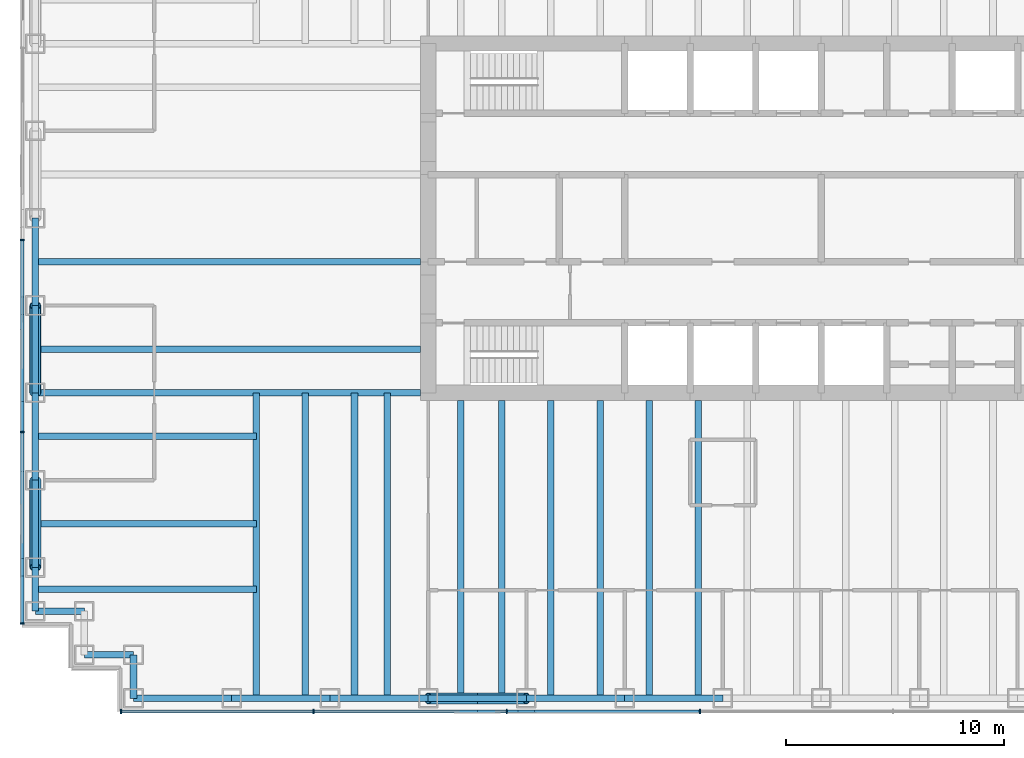
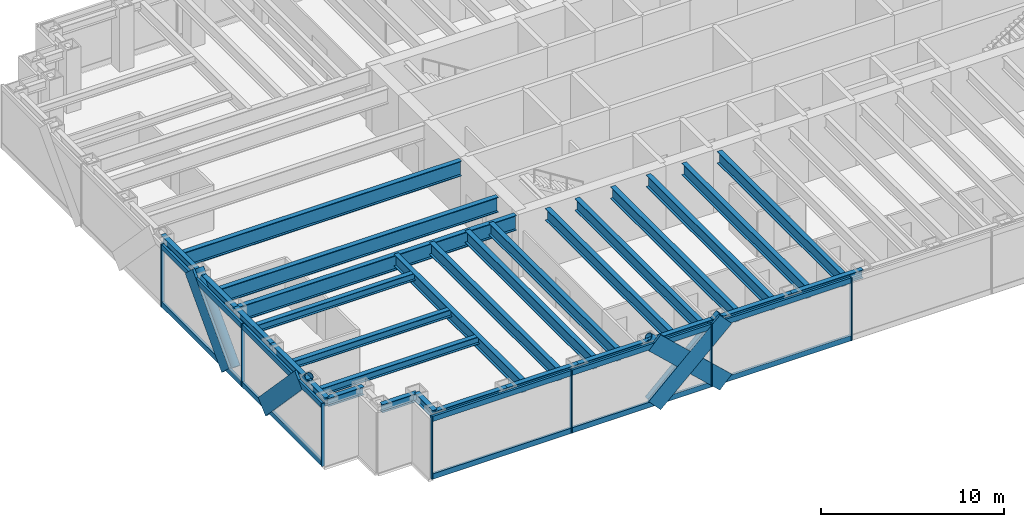
# One storey, part 2 of 17: 30 beams, 25 members, 2 elements without a shape of their own.
"""IFC4 building model written with IfcOpenShell, lengths in metres."""

from ifc_helpers import new_model, si_unit, direction, frame, origin, origin_2d, place, context, subcontext, project, spatial, rectangle, hollow_circle, i_section, extrude, material, material_profile, profile_set, type_object, element, aggregate, save


model = new_model("IFC4")

# Units and contexts
model_context = context("Model", 3, precision=1e-05, world=origin(), true_north=direction((0.0, 1.0)))
body_context = subcontext(model_context, "Body", "Model", "MODEL_VIEW")
ifc_project = project(units=[si_unit("LENGTHUNIT", "METRE"), si_unit("AREAUNIT", "SQUARE_METRE"), si_unit("VOLUMEUNIT", "CUBIC_METRE"), si_unit("PLANEANGLEUNIT", "RADIAN"), si_unit("MASSUNIT", "GRAM", prefix="KILO")], contexts=[model_context])

# Site, building, storey
site_placement = place(None, origin())
site = spatial("IfcSite", under=ifc_project, at=site_placement, CompositionType="ELEMENT")
building_placement = place(site_placement, origin())
building = spatial("IfcBuilding", under=site, at=building_placement, Name="Rheinbord Bourse Tower", CompositionType="ELEMENT")
storey_placement = place(building_placement, frame((0.0, 0.0, 287.89990234375)))
storey = spatial("IfcBuildingStorey", under=building, at=storey_placement, Name="L65", CompositionType="ELEMENT", Elevation=287.89990234375)

# Curtain wall, members
ifc_material_1 = material(Name="Dark glass and black aluminium", Category="aluminium")
curtain_wall_type = type_object("IfcCurtainWallType", Name="CW3 DARK GLASS CURTAIN WALL", PredefinedType="USERDEFINED", material=ifc_material_1)
curtain_wall_1_placement = place(storey_placement, origin())
curtain_wall_1 = element("IfcCurtainWall", 1, at=curtain_wall_1_placement, inside=storey, type_object=curtain_wall_type, Name="Curtain wall CW3 S L65", ObjectType="UNITISED CURTAIN WALL", PredefinedType="USERDEFINED")
ifc_material_2 = material(Name="Black anodised aluminium", Category="aluminium")
ifc_material_profile_1 = material_profile(ifc_material_2, rectangle(XDim=0.14990234375, YDim=1.10791015625, at=origin_2d()), Name="CW3 DIAGONAL MULLION 1108x150")
ifc_profile_set_1 = profile_set([ifc_material_profile_1], Name="Black anodised aluminium")
member_type_1 = type_object("IfcMemberType", Name="CW3 BLACK DIAGONAL MULLION", PredefinedType="USERDEFINED", material=ifc_profile_set_1)
member_1_placement = place(storey_placement, frame((22.5, 1.39990234375, 0.0), z_axis=(-0.731039441158, 0.0, 0.682335207557), x_axis=(0.0, -1.0, 0.0)))
member_1 = element("IfcMember", 2, at=member_1_placement, type_object=member_type_1, Name="CW3 diagonal mullion b", ObjectType="DIAGONAL MULLION", PredefinedType="USERDEFINED", context=body_context, shape_type="SweptSolid", body=[
    extrude(rectangle(XDim=0.14990234375, YDim=1.10791015625, at=origin_2d()), origin(), (0.0, 0.0, 1.0), 6.155517578125),
])
member_2_placement = place(storey_placement, frame((18.0, 1.39990234375, 0.0), z_axis=(0.731039441158, 0.0, 0.682335207557), x_axis=(0.0, 1.0, 0.0)))
member_2 = element("IfcMember", 3, at=member_2_placement, type_object=member_type_1, Name="CW3 diagonal mullion d", ObjectType="DIAGONAL MULLION", PredefinedType="USERDEFINED", context=body_context, shape_type="SweptSolid", body=[
    extrude(rectangle(XDim=0.14990234375, YDim=1.10791015625, at=origin_2d()), origin(), (0.0, 0.0, 1.0), 6.155517578125),
])

curtain_wall_2_placement = place(storey_placement, origin())
curtain_wall_2 = element("IfcCurtainWall", 4, at=curtain_wall_2_placement, inside=storey, type_object=curtain_wall_type, Name="Curtain wall CW3 W L65", ObjectType="UNITISED CURTAIN WALL", PredefinedType="USERDEFINED")
member_3_placement = place(storey_placement, frame((-0.60009765625, 16.0, 0.0), z_axis=(0.0, 0.689638355374, 0.72415394689), x_axis=(-1.0, 0.0, 0.0)))
member_3 = element("IfcMember", 5, at=member_3_placement, type_object=member_type_1, Name="CW3 diagonal mullion b", ObjectType="DIAGONAL MULLION", PredefinedType="USERDEFINED", context=body_context, shape_type="SweptSolid", body=[
    extrude(rectangle(XDim=0.14990234375, YDim=1.10791015625, at=origin_2d()), origin(), (0.0, 0.0, 1.0), 5.800048828125),
])
member_4_placement = place(storey_placement, frame((-0.60009765625, 12.0, 0.0), z_axis=(0.0, -0.689638355374, 0.72415394689), x_axis=(1.0, 0.0, 0.0)))
member_4 = element("IfcMember", 6, at=member_4_placement, type_object=member_type_1, Name="CW3 diagonal mullion c", ObjectType="DIAGONAL MULLION", PredefinedType="USERDEFINED", context=body_context, shape_type="SweptSolid", body=[
    extrude(rectangle(XDim=0.14990234375, YDim=1.10791015625, at=origin_2d()), origin(), (0.0, 0.0, 1.0), 5.800048828125),
])

# Member
ifc_material_3 = material(Name="Black anodised aluminium", Category="aluminium")
ifc_material_profile_2 = material_profile(ifc_material_3, rectangle(XDim=0.199951171875, YDim=0.06494140625, at=origin_2d()), Name="CW3 MULLION 65x200")
ifc_profile_set_2 = profile_set([ifc_material_profile_2], Name="Black anodised aluminium")
member_type_2 = type_object("IfcMemberType", Name="CW3 BLACK MULLION", PredefinedType="MULLION", material=ifc_profile_set_2)
member_5_placement = place(storey_placement, frame((3.9326171875, 1.39990234375, 0.0), z_axis=(0.0, 0.0, 1.0), x_axis=(0.0, 1.0, 0.0)))
member_5 = element("IfcMember", 7, at=member_5_placement, type_object=member_type_2, Name="CW3 mullion 1", PredefinedType="MULLION", context=body_context, shape_type="SweptSolid", body=[
    extrude(rectangle(XDim=0.199951171875, YDim=0.06494140625, at=origin_2d()), origin(), (0.0, 0.0, 1.0), 4.2001953125),
])

member_6_placement = place(storey_placement, frame((12.75, 1.39990234375, 0.0), z_axis=(0.0, 0.0, 1.0), x_axis=(0.0, 1.0, 0.0)))
member_6 = element("IfcMember", 8, at=member_6_placement, type_object=member_type_2, Name="CW3 mullion 2", PredefinedType="MULLION", context=body_context, shape_type="SweptSolid", body=[
    extrude(rectangle(XDim=0.199951171875, YDim=0.06494140625, at=origin_2d()), origin(), (0.0, 0.0, 1.0), 4.2001953125),
])

member_7_placement = place(storey_placement, frame((21.60009765625, 1.39990234375, 0.0), z_axis=(0.0, 0.0, 1.0), x_axis=(0.0, 1.0, 0.0)))
member_7 = element("IfcMember", 9, at=member_7_placement, type_object=member_type_2, Name="CW3 mullion 3", PredefinedType="MULLION", context=body_context, shape_type="SweptSolid", body=[
    extrude(rectangle(XDim=0.199951171875, YDim=0.06494140625, at=origin_2d()), origin(), (0.0, 0.0, 1.0), 4.2001953125),
])

member_8_placement = place(storey_placement, frame((30.449951171875, 1.39990234375, 0.0), z_axis=(0.0, 0.0, 1.0), x_axis=(0.0, 1.0, 0.0)))
member_8 = element("IfcMember", 10, at=member_8_placement, type_object=member_type_2, Name="CW3 mullion 4", PredefinedType="MULLION", context=body_context, shape_type="SweptSolid", body=[
    extrude(rectangle(XDim=0.199951171875, YDim=0.06494140625, at=origin_2d()), origin(), (0.0, 0.0, 1.0), 4.2001953125),
])

member_9_placement = place(storey_placement, frame((-0.60009765625, 23.0, 0.0), z_axis=(0.0, 0.0, 1.0), x_axis=(1.0, 0.0, 0.0)))
member_9 = element("IfcMember", 11, at=member_9_placement, type_object=member_type_2, Name="CW3 mullion 3", PredefinedType="MULLION", context=body_context, shape_type="SweptSolid", body=[
    extrude(rectangle(XDim=0.199951171875, YDim=0.06494140625, at=origin_2d()), origin(), (0.0, 0.0, 1.0), 4.2001953125),
])

member_10_placement = place(storey_placement, frame((-0.60009765625, 14.199951171875, 0.0), z_axis=(0.0, 0.0, 1.0), x_axis=(1.0, 0.0, 0.0)))
member_10 = element("IfcMember", 12, at=member_10_placement, type_object=member_type_2, Name="CW3 mullion 4", PredefinedType="MULLION", context=body_context, shape_type="SweptSolid", body=[
    extrude(rectangle(XDim=0.199951171875, YDim=0.06494140625, at=origin_2d()), origin(), (0.0, 0.0, 1.0), 4.2001953125),
])

member_11_placement = place(storey_placement, frame((-0.60009765625, 5.4326171875, 0.0), z_axis=(0.0, 0.0, 1.0), x_axis=(1.0, 0.0, 0.0)))
member_11 = element("IfcMember", 13, at=member_11_placement, type_object=member_type_2, Name="CW3 mullion 5", PredefinedType="MULLION", context=body_context, shape_type="SweptSolid", body=[
    extrude(rectangle(XDim=0.199951171875, YDim=0.06494140625, at=origin_2d()), origin(), (0.0, 0.0, 1.0), 4.2001953125),
])

ifc_material_4 = material(Name="Black anodised aluminium", Category="aluminium")
ifc_material_profile_3 = material_profile(ifc_material_4, rectangle(XDim=0.14990234375, YDim=0.35009765625, at=origin_2d()), Name="CW3 TRANSOM 350x150")
ifc_profile_set_3 = profile_set([ifc_material_profile_3], Name="Black anodised aluminium")
member_type_3 = type_object("IfcMemberType", Name="CW3 BLACK TRANSOM", PredefinedType="USERDEFINED", material=ifc_profile_set_3)
member_12_placement = place(storey_placement, frame((3.965087890625, 1.39990234375, 0.175048828125), z_axis=(1.0, 0.0, 0.0), x_axis=(0.0, 1.0, 0.0)))
member_12 = element("IfcMember", 14, at=member_12_placement, type_object=member_type_3, Name="CW3 transom 1.1", ObjectType="TRANSOM", PredefinedType="USERDEFINED", context=body_context, shape_type="SweptSolid", body=[
    extrude(rectangle(XDim=0.14990234375, YDim=0.35009765625, at=origin_2d()), origin(), (0.0, 0.0, 1.0), 8.75244140625),
])

member_13_placement = place(storey_placement, frame((3.965087890625, 1.39990234375, 4.025146484375), z_axis=(1.0, 0.0, 0.0), x_axis=(0.0, 1.0, 0.0)))
member_13 = element("IfcMember", 15, at=member_13_placement, type_object=member_type_3, Name="CW3 transom 1.2", ObjectType="TRANSOM", PredefinedType="USERDEFINED", context=body_context, shape_type="SweptSolid", body=[
    extrude(rectangle(XDim=0.14990234375, YDim=0.35009765625, at=origin_2d()), origin(), (0.0, 0.0, 1.0), 8.75244140625),
])

member_14_placement = place(storey_placement, frame((12.782470703125, 1.39990234375, 0.175048828125), z_axis=(1.0, 0.0, 0.0), x_axis=(0.0, 1.0, 0.0)))
member_14 = element("IfcMember", 16, at=member_14_placement, type_object=member_type_3, Name="CW3 transom 2.1", ObjectType="TRANSOM", PredefinedType="USERDEFINED", context=body_context, shape_type="SweptSolid", body=[
    extrude(rectangle(XDim=0.14990234375, YDim=0.35009765625, at=origin_2d()), origin(), (0.0, 0.0, 1.0), 8.784912109375),
])

member_15_placement = place(storey_placement, frame((12.782470703125, 1.39990234375, 4.025146484375), z_axis=(1.0, 0.0, 0.0), x_axis=(0.0, 1.0, 0.0)))
member_15 = element("IfcMember", 17, at=member_15_placement, type_object=member_type_3, Name="CW3 transom 2.2", ObjectType="TRANSOM", PredefinedType="USERDEFINED", context=body_context, shape_type="SweptSolid", body=[
    extrude(rectangle(XDim=0.14990234375, YDim=0.35009765625, at=origin_2d()), origin(), (0.0, 0.0, 1.0), 8.784912109375),
])

member_16_placement = place(storey_placement, frame((21.632568359375, 1.39990234375, 0.175048828125), z_axis=(1.0, 0.0, 0.0), x_axis=(0.0, 1.0, 0.0)))
member_16 = element("IfcMember", 18, at=member_16_placement, type_object=member_type_3, Name="CW3 transom 3.1", ObjectType="TRANSOM", PredefinedType="USERDEFINED", context=body_context, shape_type="SweptSolid", body=[
    extrude(rectangle(XDim=0.14990234375, YDim=0.35009765625, at=origin_2d()), origin(), (0.0, 0.0, 1.0), 8.784912109375),
])

member_17_placement = place(storey_placement, frame((21.632568359375, 1.39990234375, 4.025146484375), z_axis=(1.0, 0.0, 0.0), x_axis=(0.0, 1.0, 0.0)))
member_17 = element("IfcMember", 19, at=member_17_placement, type_object=member_type_3, Name="CW3 transom 3.2", ObjectType="TRANSOM", PredefinedType="USERDEFINED", context=body_context, shape_type="SweptSolid", body=[
    extrude(rectangle(XDim=0.14990234375, YDim=0.35009765625, at=origin_2d()), origin(), (0.0, 0.0, 1.0), 8.784912109375),
])

aggregate(curtain_wall_1, [member_5, member_6, member_7, member_8, member_12, member_13, member_14, member_15, member_16, member_17, member_1, member_2])

member_18_placement = place(storey_placement, frame((-0.60009765625, 22.967529296875, 0.175048828125), z_axis=(0.0, -1.0, 0.0), x_axis=(1.0, 0.0, 0.0)))
member_18 = element("IfcMember", 20, at=member_18_placement, type_object=member_type_3, Name="CW3 transom 3.1", ObjectType="TRANSOM", PredefinedType="USERDEFINED", context=body_context, shape_type="SweptSolid", body=[
    extrude(rectangle(XDim=0.14990234375, YDim=0.35009765625, at=origin_2d()), origin(), (0.0, 0.0, 1.0), 8.735107421875),
])

member_19_placement = place(storey_placement, frame((-0.60009765625, 22.967529296875, 4.025146484375), z_axis=(0.0, -1.0, 0.0), x_axis=(1.0, 0.0, 0.0)))
member_19 = element("IfcMember", 21, at=member_19_placement, type_object=member_type_3, Name="CW3 transom 3.2", ObjectType="TRANSOM", PredefinedType="USERDEFINED", context=body_context, shape_type="SweptSolid", body=[
    extrude(rectangle(XDim=0.14990234375, YDim=0.35009765625, at=origin_2d()), origin(), (0.0, 0.0, 1.0), 8.735107421875),
])

member_20_placement = place(storey_placement, frame((-0.60009765625, 14.16748046875, 0.175048828125), z_axis=(0.0, -1.0, 0.0), x_axis=(1.0, 0.0, 0.0)))
member_20 = element("IfcMember", 22, at=member_20_placement, type_object=member_type_3, Name="CW3 transom 4.1", ObjectType="TRANSOM", PredefinedType="USERDEFINED", context=body_context, shape_type="SweptSolid", body=[
    extrude(rectangle(XDim=0.14990234375, YDim=0.35009765625, at=origin_2d()), origin(), (0.0, 0.0, 1.0), 8.702392578125),
])

member_21_placement = place(storey_placement, frame((-0.60009765625, 14.16748046875, 4.025146484375), z_axis=(0.0, -1.0, 0.0), x_axis=(1.0, 0.0, 0.0)))
member_21 = element("IfcMember", 23, at=member_21_placement, type_object=member_type_3, Name="CW3 transom 4.2", ObjectType="TRANSOM", PredefinedType="USERDEFINED", context=body_context, shape_type="SweptSolid", body=[
    extrude(rectangle(XDim=0.14990234375, YDim=0.35009765625, at=origin_2d()), origin(), (0.0, 0.0, 1.0), 8.702392578125),
])

aggregate(curtain_wall_2, [member_9, member_10, member_11, member_18, member_19, member_20, member_21, member_3, member_4])

# Beams
ifc_material_5 = material(Name="Steel S460", Category="steel")
ifc_material_profile_4 = material_profile(ifc_material_5, i_section(OverallWidth=0.302001953125, OverallDepth=1.008056640625, WebThickness=0.02099609375, FlangeThickness=0.0400390625, at=origin_2d()), Name="HEM 1000")
ifc_profile_set_4 = profile_set([ifc_material_profile_4], Name="Steel S460")
beam_type_1 = type_object("IfcBeamType", Name="END BEAM HEM 1000", PredefinedType="BEAM", material=ifc_profile_set_4)
for number, where, z_axis, x_axis, name in (
    (24, (0.0, 18.0, 3.5361328125), (1.0, 0.0, 0.0), (0.0, 1.0, 0.0), "End beam west 18 L66"),
    (25, (0.0, 22.0, 3.5361328125), (1.0, 0.0, 0.0), (0.0, 1.0, 0.0), "End beam west 22 L66"),
):
    element("IfcBeam", number, at=place(storey_placement, frame(where, z_axis=z_axis, x_axis=x_axis)), inside=storey, type_object=beam_type_1, Name=name, PredefinedType="BEAM", context=body_context, shape_type="SweptSolid", body=[
        extrude(i_section(OverallWidth=0.302001953125, OverallDepth=1.008056640625, WebThickness=0.02099609375, FlangeThickness=0.0400390625, at=origin_2d()), origin(), (0.0, 0.0, 1.0), 17.64990234375),
    ])
ifc_material_6 = material(Name="Steel S460", Category="steel")
ifc_material_profile_5 = material_profile(ifc_material_6, i_section(OverallWidth=0.300048828125, OverallDepth=0.800048828125, WebThickness=0.017578125, FlangeThickness=0.032958984375, at=origin_2d()), Name="HEB 800")
ifc_profile_set_5 = profile_set([ifc_material_profile_5], Name="Steel S460")
beam_type_2 = type_object("IfcBeamType", Name="FLOOR BEAM HEB 800", PredefinedType="BEAM", material=ifc_profile_set_5)
for number, where, z_axis, x_axis, name in (
    (26, (10.125, 2.0, 3.64013671875), (0.0, 1.0, 0.0), (-1.0, 0.0, 0.0), "Floor beam S-9a L66"),
    (27, (12.375, 2.0, 3.64013671875), (0.0, 1.0, 0.0), (-1.0, 0.0, 0.0), "Floor beam S-9b L66"),
    (28, (14.625, 2.0, 3.64013671875), (0.0, 1.0, 0.0), (-1.0, 0.0, 0.0), "Floor beam S-13.5a L66"),
    (29, (16.125, 2.0, 3.64013671875), (0.0, 1.0, 0.0), (-1.0, 0.0, 0.0), "Floor beam S-13.5b L66"),
):
    element("IfcBeam", number, at=place(storey_placement, frame(where, z_axis=z_axis, x_axis=x_axis)), inside=storey, type_object=beam_type_2, Name=name, PredefinedType="BEAM", context=body_context, shape_type="SweptSolid", body=[
        extrude(i_section(OverallWidth=0.300048828125, OverallDepth=0.800048828125, WebThickness=0.017578125, FlangeThickness=0.032958984375, at=origin_2d()), origin(), (0.0, 0.0, 1.0), 14.0),
    ])
for number, where, z_axis, x_axis, name in (
    (30, (19.5, 2.0, 3.64013671875), (0.0, 1.0, 0.0), (-1.0, 0.0, 0.0), "Floor beam S-18a L66"),
    (31, (21.375, 2.0, 3.64013671875), (0.0, 1.0, 0.0), (-1.0, 0.0, 0.0), "Floor beam S-18b L66"),
    (32, (23.625, 2.0, 3.64013671875), (0.0, 1.0, 0.0), (-1.0, 0.0, 0.0), "Floor beam S-22.5a L66"),
    (33, (25.875, 2.0, 3.64013671875), (0.0, 1.0, 0.0), (-1.0, 0.0, 0.0), "Floor beam S-22.5b L66"),
    (34, (28.125, 2.0, 3.64013671875), (0.0, 1.0, 0.0), (-1.0, 0.0, 0.0), "Floor beam S-27a L66"),
    (35, (30.375, 2.0, 3.64013671875), (0.0, 1.0, 0.0), (-1.0, 0.0, 0.0), "Floor beam S-27b L66"),
):
    element("IfcBeam", number, at=place(storey_placement, frame(where, z_axis=z_axis, x_axis=x_axis)), inside=storey, type_object=beam_type_2, Name=name, PredefinedType="BEAM", context=body_context, shape_type="SweptSolid", body=[
        extrude(i_section(OverallWidth=0.300048828125, OverallDepth=0.800048828125, WebThickness=0.017578125, FlangeThickness=0.032958984375, at=origin_2d()), origin(), (0.0, 0.0, 1.0), 13.64990234375),
    ])
ifc_material_7 = material(Name="Steel S460", Category="steel")
ifc_material_profile_6 = material_profile(ifc_material_7, i_section(OverallWidth=0.302001953125, OverallDepth=1.008056640625, WebThickness=0.02099609375, FlangeThickness=0.0400390625, at=origin_2d()), Name="HEM 1000")
ifc_profile_set_6 = profile_set([ifc_material_profile_6], Name="Steel S460")
beam_type_3 = type_object("IfcBeamType", Name="GIRDER HEM 1000", PredefinedType="BEAM", material=ifc_profile_set_6)
beam_1_placement = place(storey_placement, frame((0.0, 16.0, 3.5361328125), z_axis=(1.0, 0.0, 0.0), x_axis=(0.0, 1.0, 0.0)))
element("IfcBeam", 36, at=beam_1_placement, inside=storey, type_object=beam_type_3, Name="Girder west 16 L66", PredefinedType="BEAM", context=body_context, shape_type="SweptSolid", body=[
    extrude(i_section(OverallWidth=0.302001953125, OverallDepth=1.008056640625, WebThickness=0.02099609375, FlangeThickness=0.0400390625, at=origin_2d()), origin(), (0.0, 0.0, 1.0), 17.64990234375),
])

# Members
ifc_material_8 = material(Name="Steel S460", Category="steel")
ifc_material_profile_7 = material_profile(ifc_material_8, hollow_circle(Radius=0.25390625, WallThickness=0.030029296875, at=origin_2d()), Name="CHS 508x30")
ifc_profile_set_7 = profile_set([ifc_material_profile_7], Name="Steel S460")
member_type_4 = type_object("IfcMemberType", Name="MEGABRACE CHS 508x30", PredefinedType="BRACE", material=ifc_profile_set_7)
for number, where, z_axis, x_axis, name in (
    (37, (22.5, 2.0, 0.0), (-0.731039441158, 0.0, 0.682335207557), (0.0, -1.0, 0.0), "Megabrace S face line b L65"),
    (38, (18.0, 2.0, 0.0), (0.731039441158, 0.0, 0.682335207557), (0.0, 1.0, 0.0), "Megabrace S face line d L65"),
):
    element("IfcMember", number, at=place(storey_placement, frame(where, z_axis=z_axis, x_axis=x_axis)), inside=storey, type_object=member_type_4, Name=name, PredefinedType="BRACE", context=body_context, shape_type="SweptSolid", body=[
        extrude(hollow_circle(Radius=0.25390625, WallThickness=0.030029296875, at=origin_2d()), origin(), (0.0, 0.0, 1.0), 6.155517578125),
    ])
for number, where, z_axis, x_axis, name in (
    (39, (0.0, 16.0, 0.0), (0.0, 0.689638355374, 0.72415394689), (-1.0, 0.0, 0.0), "Megabrace W face line b L65"),
    (40, (0.0, 12.0, 0.0), (0.0, -0.689638355374, 0.72415394689), (1.0, 0.0, 0.0), "Megabrace W face line c L65"),
):
    element("IfcMember", number, at=place(storey_placement, frame(where, z_axis=z_axis, x_axis=x_axis)), inside=storey, type_object=member_type_4, Name=name, PredefinedType="BRACE", context=body_context, shape_type="SweptSolid", body=[
        extrude(hollow_circle(Radius=0.25390625, WallThickness=0.030029296875, at=origin_2d()), origin(), (0.0, 0.0, 1.0), 5.800048828125),
    ])

# Beams
ifc_material_9 = material(Name="Steel S460", Category="steel")
ifc_material_profile_8 = material_profile(ifc_material_9, i_section(OverallWidth=0.300048828125, OverallDepth=0.550048828125, WebThickness=0.014892578125, FlangeThickness=0.029052734375, at=origin_2d()), Name="HEB 550")
ifc_profile_set_8 = profile_set([ifc_material_profile_8], Name="Steel S460")
beam_type_4 = type_object("IfcBeamType", Name="SPANDREL HEB 550", PredefinedType="SPANDREL", material=ifc_profile_set_8)
for number, where, z_axis, x_axis, name in (
    (41, (4.5, 2.0, 3.76513671875), (1.0, 0.0, 0.0), (0.0, 1.0, 0.0), "Spandrel SW-E-S-9 under L66"),
    (42, (9.0, 2.0, 3.76513671875), (1.0, 0.0, 0.0), (0.0, 1.0, 0.0), "Spandrel S-9-S-13.5 under L66"),
    (43, (13.5, 2.0, 3.76513671875), (1.0, 0.0, 0.0), (0.0, 1.0, 0.0), "Spandrel S-13.5-S-18 under L66"),
    (44, (18.0, 2.0, 3.76513671875), (1.0, 0.0, 0.0), (0.0, 1.0, 0.0), "Spandrel S-18-S-22.5 under L66"),
    (45, (22.5, 2.0, 3.76513671875), (1.0, 0.0, 0.0), (0.0, 1.0, 0.0), "Spandrel S-22.5-S-27 under L66"),
    (46, (27.0, 2.0, 3.76513671875), (1.0, 0.0, 0.0), (0.0, 1.0, 0.0), "Spandrel S-27-S-31.5 under L66"),
):
    element("IfcBeam", number, at=place(storey_placement, frame(where, z_axis=z_axis, x_axis=x_axis)), inside=storey, type_object=beam_type_4, Name=name, PredefinedType="SPANDREL", context=body_context, shape_type="SweptSolid", body=[
        extrude(i_section(OverallWidth=0.300048828125, OverallDepth=0.550048828125, WebThickness=0.014892578125, FlangeThickness=0.029052734375, at=origin_2d()), origin(), (0.0, 0.0, 1.0), 4.5),
    ])
for number, where, z_axis, x_axis, name in (
    (47, (0.0, 24.0, 3.76513671875), (0.0, -1.0, 0.0), (1.0, 0.0, 0.0), "Spandrel W-24-W-20 under L66"),
    (48, (0.0, 20.0, 3.76513671875), (0.0, -1.0, 0.0), (1.0, 0.0, 0.0), "Spandrel W-20-W-16 under L66"),
    (49, (0.0, 16.0, 3.76513671875), (0.0, -1.0, 0.0), (1.0, 0.0, 0.0), "Spandrel W-16-W-12 under L66"),
    (50, (0.0, 12.0, 3.76513671875), (0.0, -1.0, 0.0), (1.0, 0.0, 0.0), "Spandrel W-12-W-8 under L66"),
):
    element("IfcBeam", number, at=place(storey_placement, frame(where, z_axis=z_axis, x_axis=x_axis)), inside=storey, type_object=beam_type_4, Name=name, PredefinedType="SPANDREL", context=body_context, shape_type="SweptSolid", body=[
        extrude(i_section(OverallWidth=0.300048828125, OverallDepth=0.550048828125, WebThickness=0.014892578125, FlangeThickness=0.029052734375, at=origin_2d()), origin(), (0.0, 0.0, 1.0), 4.0),
    ])
beam_2_placement = place(storey_placement, frame((0.0, 8.0, 3.76513671875), z_axis=(0.0, -1.0, 0.0), x_axis=(1.0, 0.0, 0.0)))
element("IfcBeam", 51, at=beam_2_placement, inside=storey, type_object=beam_type_4, Name="Spandrel W-8-SW-A under L66", PredefinedType="SPANDREL", context=body_context, shape_type="SweptSolid", body=[
    extrude(i_section(OverallWidth=0.300048828125, OverallDepth=0.550048828125, WebThickness=0.014892578125, FlangeThickness=0.029052734375, at=origin_2d()), origin(), (0.0, 0.0, 1.0), 2.0),
])
for number, where, z_axis, x_axis, name in (
    (52, (0.0, 6.0, 3.76513671875), (1.0, 0.0, 0.0), (0.0, 1.0, 0.0), "Spandrel SW-A-SW-B under L66"),
    (53, (2.25, 4.0, 3.76513671875), (1.0, 0.0, 0.0), (0.0, 1.0, 0.0), "Spandrel SW-C-SW-D under L66"),
):
    element("IfcBeam", number, at=place(storey_placement, frame(where, z_axis=z_axis, x_axis=x_axis)), inside=storey, type_object=beam_type_4, Name=name, PredefinedType="SPANDREL", context=body_context, shape_type="SweptSolid", body=[
        extrude(i_section(OverallWidth=0.300048828125, OverallDepth=0.550048828125, WebThickness=0.014892578125, FlangeThickness=0.029052734375, at=origin_2d()), origin(), (0.0, 0.0, 1.0), 2.25),
    ])
beam_3_placement = place(storey_placement, frame((4.5, 4.0, 3.76513671875), z_axis=(0.0, -1.0, 0.0), x_axis=(1.0, 0.0, 0.0)))
element("IfcBeam", 54, at=beam_3_placement, inside=storey, type_object=beam_type_4, Name="Spandrel SW-D-SW-E under L66", PredefinedType="SPANDREL", context=body_context, shape_type="SweptSolid", body=[
    extrude(i_section(OverallWidth=0.300048828125, OverallDepth=0.550048828125, WebThickness=0.014892578125, FlangeThickness=0.029052734375, at=origin_2d()), origin(), (0.0, 0.0, 1.0), 2.0),
])
ifc_material_10 = material(Name="Steel S460", Category="steel")
ifc_material_profile_9 = material_profile(ifc_material_10, i_section(OverallWidth=0.300048828125, OverallDepth=0.5, WebThickness=0.014404296875, FlangeThickness=0.028076171875, at=origin_2d()), Name="HEB 500")
ifc_profile_set_9 = profile_set([ifc_material_profile_9], Name="Steel S460")
beam_type_5 = type_object("IfcBeamType", Name="TIE BEAM HEB 500", PredefinedType="JOIST", material=ifc_profile_set_9)
for number, where, z_axis, x_axis, name in (
    (55, (0.0, 7.0, 3.7900390625), (1.0, 0.0, 0.0), (0.0, 1.0, 0.0), "Tie west 7 L66"),
    (56, (0.0, 10.0, 3.7900390625), (1.0, 0.0, 0.0), (0.0, 1.0, 0.0), "Tie west 10 L66"),
    (57, (0.0, 14.0, 3.7900390625), (1.0, 0.0, 0.0), (0.0, 1.0, 0.0), "Tie west 14 L66"),
):
    element("IfcBeam", number, at=place(storey_placement, frame(where, z_axis=z_axis, x_axis=x_axis)), inside=storey, type_object=beam_type_5, Name=name, PredefinedType="JOIST", context=body_context, shape_type="SweptSolid", body=[
        extrude(i_section(OverallWidth=0.300048828125, OverallDepth=0.5, WebThickness=0.014404296875, FlangeThickness=0.028076171875, at=origin_2d()), origin(), (0.0, 0.0, 1.0), 10.125),
    ])

save(model, "model.ifc")
